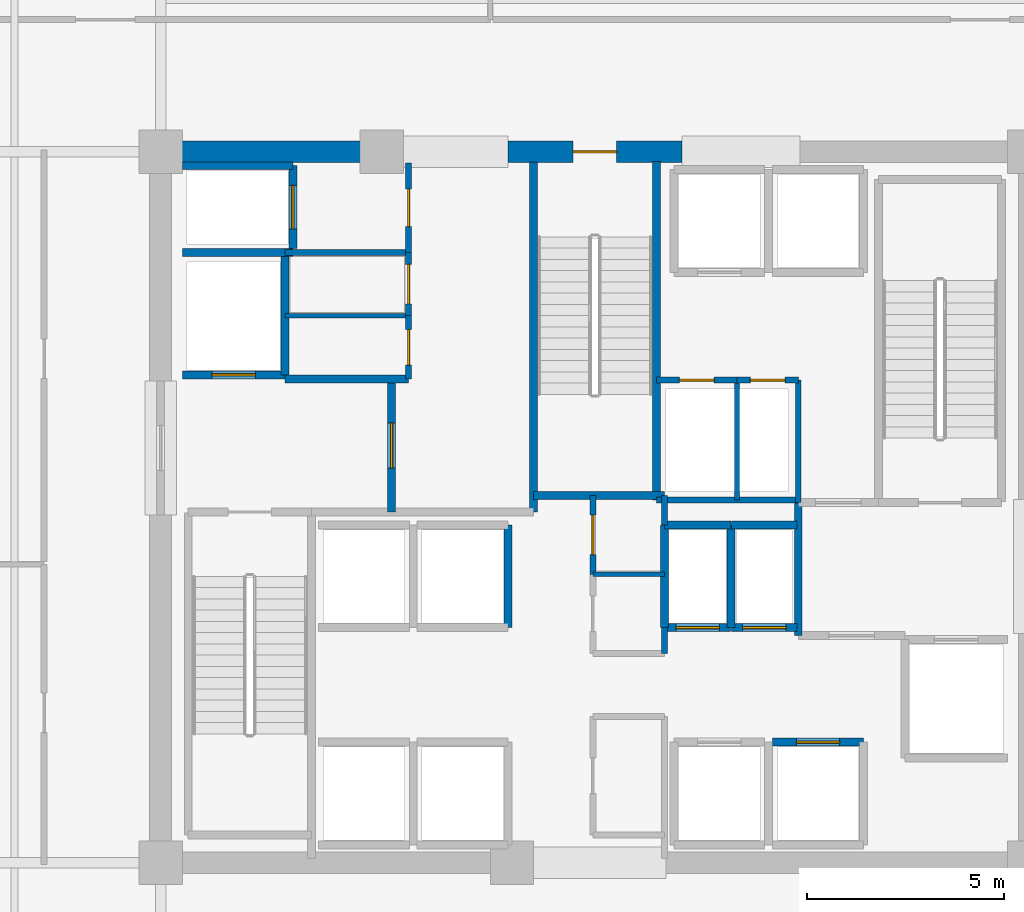
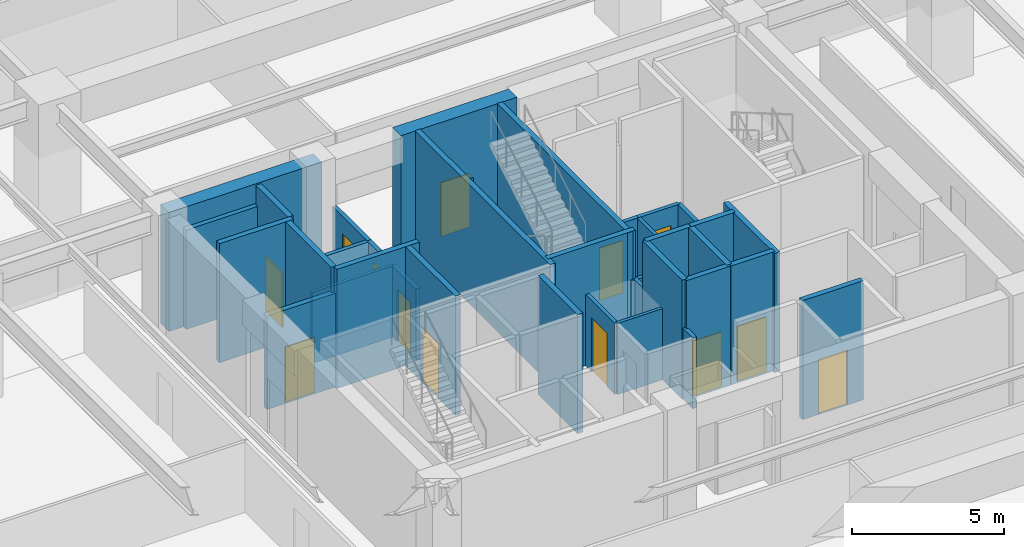
# One storey, part 13 of 20: 35 walls, 13 doors, 13 openings.
"""IFC4 building model written with IfcOpenShell, lengths in metres."""

from ifc_helpers import new_model, si_unit, direction, frame, frame_2d, origin, place, context, subcontext, project, spatial, rectangle, extrude, material, layer, layer_set, type_object, element, fill, save


model = new_model("IFC4")

# Units and contexts
model_context = context("Model", 3, precision=1e-05, world=origin(), true_north=direction((0.0, 1.0)))
body_context = subcontext(model_context, "Body", "Model", "MODEL_VIEW")
ifc_project = project(units=[si_unit("LENGTHUNIT", "METRE"), si_unit("AREAUNIT", "SQUARE_METRE"), si_unit("VOLUMEUNIT", "CUBIC_METRE"), si_unit("PLANEANGLEUNIT", "RADIAN"), si_unit("MASSUNIT", "GRAM", prefix="KILO")], contexts=[model_context])

# Site, building, storey
site_placement = place(None, origin())
site = spatial("IfcSite", under=ifc_project, at=site_placement, CompositionType="ELEMENT")
building_placement = place(site_placement, origin())
building = spatial("IfcBuilding", under=site, at=building_placement, Name="Kovane Verandah Tower", CompositionType="ELEMENT")
storey_placement = place(building_placement, frame((0.0, 0.0, 123.39990234375)))
storey = spatial("IfcBuildingStorey", under=building, at=storey_placement, Name="L28", CompositionType="ELEMENT", Elevation=123.39990234375)

# Walls
ifc_material_1 = material(Name="Fire-Rated Gypsum Stud Partition", Category="gypsum")
ifc_layer_1 = layer(ifc_material_1, 0.14990234375)
ifc_layer_set_1 = layer_set([ifc_layer_1], Name="Fire-Rated Gypsum Stud Partition")
wall_type_1 = type_object("IfcWallType", Name="WL-COR-150", PredefinedType="PARTITIONING", material=ifc_layer_set_1)
wall_1_placement = place(storey_placement, frame((41.760009765625, 23.800048828125, 0.0), z_axis=(0.0, 0.0, 1.0), x_axis=(0.0, 1.0, 0.0)))
element("IfcWall", 1, at=wall_1_placement, inside=storey, type_object=wall_type_1, Name="L28 Central Core Strip Middle East Wall", PredefinedType="PARTITIONING", context=body_context, shape_type="SweptSolid", body=[
    extrude(rectangle(XDim=0.64990234375, YDim=0.14990234375, at=frame_2d((0.324951171875, 0.0))), origin(), (0.0, 0.0, 1.0), 2.85009765625),
])
wall_2_placement = place(storey_placement, frame((41.760009765625, 27.050048828125, 0.0), z_axis=(0.0, 0.0, 1.0), x_axis=(0.0, 1.0, 0.0)))
element("IfcWall", 2, at=wall_2_placement, inside=storey, type_object=wall_type_1, Name="L28 Central Core Strip Upper East Wall", PredefinedType="PARTITIONING", context=body_context, shape_type="SweptSolid", body=[
    extrude(rectangle(XDim=0.75, YDim=0.14990234375, at=frame_2d((0.375, 0.0))), origin(), (0.0, 0.0, 1.0), 2.85009765625),
])

# Wall, opening, door
wall_3_placement = place(storey_placement, frame((39.949951171875, 25.800048828125, 0.0), z_axis=(0.0, 0.0, 1.0), x_axis=(0.0, 1.0, 0.0)))
wall_3 = element("IfcWall", 3, at=wall_3_placement, inside=storey, type_object=wall_type_1, Name="L28 Central First Aid and Wellness Room Partition", PredefinedType="PARTITIONING", context=body_context, shape_type="SweptSolid", body=[
    extrude(rectangle(XDim=2.0, YDim=0.14990234375, at=frame_2d((1.0, 0.0))), origin(), (0.0, 0.0, 1.0), 2.85009765625),
])
opening_1_placement = place(wall_3_placement, frame((0.5, 0.0, 0.0)))
opening_1 = element("IfcOpeningElement", 4, at=opening_1_placement, cuts=wall_3, Name="Opening DR-L28-020", PredefinedType="OPENING", context=body_context, shape_type="SweptSolid", body=[
    extrude(rectangle(XDim=1.0, YDim=2.14990234375, at=frame_2d((0.5, 1.074951171875))), frame((0.0, 0.074951171875, 0.0), z_axis=(0.0, -1.0, 0.0), x_axis=(1.0, 0.0, 0.0)), (0.0, 0.0, 1.0), 0.14990234375),
])
ifc_material_2 = material(Name="FSC Spotted-Gum Timber Fire-Rated Office Door", Category="wood")
door_type_1 = type_object("IfcDoorType", Name="DR-OFF-1000", OperationType="SINGLE_SWING_LEFT", PredefinedType="DOOR", material=ifc_material_2)
door_1_placement = place(opening_1_placement, origin())
door_1 = element("IfcDoor", 5, at=door_1_placement, inside=storey, type_object=door_type_1, Name="L28 Central First Aid and Wellness Room Door", OperationType="SINGLE_SWING_LEFT", OverallHeight=2.14990234375, OverallWidth=1.0, PredefinedType="DOOR", context=body_context, shape_type="SweptSolid", body=[
    extrude(rectangle(XDim=1.0, YDim=2.14990234375, at=frame_2d((0.5, 1.074951171875))), frame((0.0, 0.02490234375, 0.0), z_axis=(0.0, -1.0, 0.0), x_axis=(1.0, 0.0, 0.0)), (0.0, 0.0, 1.0), 0.050048828125),
])
fill(opening_1, door_1)

# Wall
wall_4_placement = place(storey_placement, frame((32.14990234375, 33.949951171875, 0.0), z_axis=(0.0, 0.0, 1.0), x_axis=(1.0, 0.0, 0.0)))
element("IfcWall", 6, at=wall_4_placement, inside=storey, type_object=wall_type_1, Name="L28 Goods Lift Lobby South Wall", PredefinedType="PARTITIONING", context=body_context, shape_type="SweptSolid", body=[
    extrude(rectangle(XDim=3.130126953125, YDim=0.14990234375, at=frame_2d((1.56494140625, 0.0))), origin(), (0.0, 0.0, 1.0), 2.85009765625),
])

# Wall, opening, door
wall_5_placement = place(storey_placement, frame((35.280029296875, 33.949951171875, 0.0), z_axis=(0.0, 0.0, 1.0), x_axis=(0.0, 1.0, 0.0)))
wall_5 = element("IfcWall", 7, at=wall_5_placement, inside=storey, type_object=wall_type_1, Name="L28 Goods Lift Lobby East Fire Partition", PredefinedType="PARTITIONING", context=body_context, shape_type="SweptSolid", body=[
    extrude(rectangle(XDim=2.27001953125, YDim=0.14990234375, at=frame_2d((1.135009765625, 0.0))), origin(), (0.0, 0.0, 1.0), 2.85009765625),
])
opening_2_placement = place(wall_5_placement, frame((0.659912109375, 0.0, 0.0)))
opening_2 = element("IfcOpeningElement", 8, at=opening_2_placement, cuts=wall_5, Name="Opening DR-L28-008", PredefinedType="OPENING", context=body_context, shape_type="SweptSolid", body=[
    extrude(rectangle(XDim=0.949951171875, YDim=2.14990234375, at=frame_2d((0.47509765625, 1.074951171875))), frame((0.0, 0.074951171875, 0.0), z_axis=(0.0, -1.0, 0.0), x_axis=(1.0, 0.0, 0.0)), (0.0, 0.0, 1.0), 0.14990234375),
])
ifc_material_3 = material(Name="Fire-Rated Steel Refuge and Lobby Door", Category="steel")
door_type_2 = type_object("IfcDoorType", Name="DR-FIRE-950", OperationType="SINGLE_SWING_LEFT", PredefinedType="DOOR", material=ifc_material_3)
door_2_placement = place(opening_2_placement, origin())
door_2 = element("IfcDoor", 9, at=door_2_placement, inside=storey, type_object=door_type_2, Name="L28 Goods Lift Lobby Fire Door", OperationType="SINGLE_SWING_RIGHT", OverallHeight=2.14990234375, OverallWidth=0.949951171875, PredefinedType="DOOR", context=body_context, shape_type="SweptSolid", body=[
    extrude(rectangle(XDim=0.949951171875, YDim=2.14990234375, at=frame_2d((0.47509765625, 1.074951171875))), frame((0.0, 0.02490234375, 0.0), z_axis=(0.0, -1.0, 0.0), x_axis=(1.0, 0.0, 0.0)), (0.0, 0.0, 1.0), 0.050048828125),
])
fill(opening_2, door_2)

wall_6_placement = place(storey_placement, frame((35.280029296875, 30.75, 0.0), z_axis=(0.0, 0.0, 1.0), x_axis=(0.0, 1.0, 0.0)))
wall_6 = element("IfcWall", 10, at=wall_6_placement, inside=storey, type_object=wall_type_1, Name="L28 Accessible Unisex Toilet Partition", PredefinedType="PARTITIONING", context=body_context, shape_type="SweptSolid", body=[
    extrude(rectangle(XDim=1.60009765625, YDim=0.14990234375, at=frame_2d((0.800048828125, 0.0))), origin(), (0.0, 0.0, 1.0), 2.85009765625),
])
opening_3_placement = place(wall_6_placement, frame((0.35009765625, 0.0, 0.0)))
opening_3 = element("IfcOpeningElement", 11, at=opening_3_placement, cuts=wall_6, Name="Opening DR-L28-021", PredefinedType="OPENING", context=body_context, shape_type="SweptSolid", body=[
    extrude(rectangle(XDim=0.89990234375, YDim=2.10009765625, at=frame_2d((0.449951171875, 1.050048828125))), frame((0.0, 0.074951171875, 0.0), z_axis=(0.0, -1.0, 0.0), x_axis=(1.0, 0.0, 0.0)), (0.0, 0.0, 1.0), 0.14990234375),
])
ifc_material_4 = material(Name="Moisture-Resistant Laminate Washroom Door", Category="wood")
door_type_3 = type_object("IfcDoorType", Name="DR-WC-900", OperationType="SINGLE_SWING_LEFT", PredefinedType="DOOR", material=ifc_material_4)
door_3_placement = place(opening_3_placement, origin())
door_3 = element("IfcDoor", 12, at=door_3_placement, inside=storey, type_object=door_type_3, Name="L28 Accessible Unisex Toilet Door", OperationType="SINGLE_SWING_LEFT", OverallHeight=2.10009765625, OverallWidth=0.89990234375, PredefinedType="DOOR", context=body_context, shape_type="SweptSolid", body=[
    extrude(rectangle(XDim=0.89990234375, YDim=2.10009765625, at=frame_2d((0.449951171875, 1.050048828125))), frame((0.0, 0.02490234375, 0.0), z_axis=(0.0, -1.0, 0.0), x_axis=(1.0, 0.0, 0.0)), (0.0, 0.0, 1.0), 0.050048828125),
])
fill(opening_3, door_3)

wall_7_placement = place(storey_placement, frame((35.280029296875, 32.35009765625, 0.0), z_axis=(0.0, 0.0, 1.0), x_axis=(0.0, 1.0, 0.0)))
wall_7 = element("IfcWall", 13, at=wall_7_placement, inside=storey, type_object=wall_type_1, Name="L28 North-West First Aid Room Partition", PredefinedType="PARTITIONING", context=body_context, shape_type="SweptSolid", body=[
    extrude(rectangle(XDim=1.599853515625, YDim=0.14990234375, at=frame_2d((0.7998046875, 0.0))), origin(), (0.0, 0.0, 1.0), 2.85009765625),
])
opening_4_placement = place(wall_7_placement, frame((0.300048828125, 0.0, 0.0)))
opening_4 = element("IfcOpeningElement", 14, at=opening_4_placement, cuts=wall_7, Name="Opening DR-L28-012", PredefinedType="OPENING", context=body_context, shape_type="SweptSolid", body=[
    extrude(rectangle(XDim=1.0, YDim=2.14990234375, at=frame_2d((0.5, 1.074951171875))), frame((0.0, 0.074951171875, 0.0), z_axis=(0.0, -1.0, 0.0), x_axis=(1.0, 0.0, 0.0)), (0.0, 0.0, 1.0), 0.14990234375),
])
door_4_placement = place(opening_4_placement, origin())
door_4 = element("IfcDoor", 15, at=door_4_placement, inside=storey, type_object=door_type_1, Name="L28 North-West First Aid Room Door", OperationType="SINGLE_SWING_RIGHT", OverallHeight=2.14990234375, OverallWidth=1.0, PredefinedType="DOOR", context=body_context, shape_type="SweptSolid", body=[
    extrude(rectangle(XDim=1.0, YDim=2.14990234375, at=frame_2d((0.5, 1.074951171875))), frame((0.0, 0.02490234375, 0.0), z_axis=(0.0, -1.0, 0.0), x_axis=(1.0, 0.0, 0.0)), (0.0, 0.0, 1.0), 0.050048828125),
])
fill(opening_4, door_4)

# Walls
wall_8_placement = place(storey_placement, frame((41.56005859375, 27.679931640625, 0.0), z_axis=(0.0, 0.0, 1.0), x_axis=(1.0, 0.0, 0.0)))
element("IfcWall", 16, at=wall_8_placement, inside=storey, type_object=wall_type_1, Name="L28 East Core Service Riser South Wall", PredefinedType="PARTITIONING", context=body_context, shape_type="SweptSolid", body=[
    extrude(rectangle(XDim=3.58984375, YDim=0.14990234375, at=frame_2d((1.794921875, 0.0))), origin(), (0.0, 0.0, 1.0), 2.85009765625),
])
wall_9_placement = place(storey_placement, frame((45.14990234375, 27.6201171875, 0.0), z_axis=(0.0, 0.0, 1.0), x_axis=(0.0, 1.0, 0.0)))
element("IfcWall", 17, at=wall_9_placement, inside=storey, type_object=wall_type_1, Name="L28 East Core Service Riser East Wall", PredefinedType="PARTITIONING", context=body_context, shape_type="SweptSolid", body=[
    extrude(rectangle(XDim=3.099853515625, YDim=0.14990234375, at=frame_2d((1.5498046875, 0.0))), origin(), (0.0, 0.0, 1.0), 2.85009765625),
])

# Wall, opening, door
wall_10_placement = place(storey_placement, frame((41.56005859375, 30.719970703125, 0.0), z_axis=(0.0, 0.0, 1.0), x_axis=(1.0, 0.0, 0.0)))
wall_10 = element("IfcWall", 18, at=wall_10_placement, inside=storey, type_object=wall_type_1, Name="L28 Electrical Sub-Main Riser Room Partition", PredefinedType="PARTITIONING", context=body_context, shape_type="SweptSolid", body=[
    extrude(rectangle(XDim=2.0400390625, YDim=0.14990234375, at=frame_2d((1.02001953125, 0.0))), origin(), (0.0, 0.0, 1.0), 2.85009765625),
])
opening_5_placement = place(wall_10_placement, frame((0.580078125, 0.0, 0.0)))
opening_5 = element("IfcOpeningElement", 19, at=opening_5_placement, cuts=wall_10, Name="Opening DR-L28-014", PredefinedType="OPENING", context=body_context, shape_type="SweptSolid", body=[
    extrude(rectangle(XDim=0.8798828125, YDim=2.10009765625, at=frame_2d((0.43994140625, 1.050048828125))), frame((0.0, 0.074951171875, 0.0), z_axis=(0.0, -1.0, 0.0), x_axis=(1.0, 0.0, 0.0)), (0.0, 0.0, 1.0), 0.14990234375),
])
ifc_material_5 = material(Name="Fire-Rated Steel Riser Access Door", Category="steel")
door_type_4 = type_object("IfcDoorType", Name="DR-RISER-880", OperationType="SINGLE_SWING_LEFT", PredefinedType="DOOR", material=ifc_material_5)
door_5_placement = place(opening_5_placement, origin())
door_5 = element("IfcDoor", 20, at=door_5_placement, inside=storey, type_object=door_type_4, Name="L28 Electrical Sub-Main Riser Room Door", OperationType="SINGLE_SWING_LEFT", OverallHeight=2.10009765625, OverallWidth=0.8798828125, PredefinedType="DOOR", context=body_context, shape_type="SweptSolid", body=[
    extrude(rectangle(XDim=0.8798828125, YDim=2.10009765625, at=frame_2d((0.43994140625, 1.050048828125))), frame((0.0, 0.02490234375, 0.0), z_axis=(0.0, -1.0, 0.0), x_axis=(1.0, 0.0, 0.0)), (0.0, 0.0, 1.0), 0.050048828125),
])
fill(opening_5, door_5)

wall_11_placement = place(storey_placement, frame((43.60009765625, 30.719970703125, 0.0), z_axis=(0.0, 0.0, 1.0), x_axis=(1.0, 0.0, 0.0)))
wall_11 = element("IfcWall", 21, at=wall_11_placement, inside=storey, type_object=wall_type_1, Name="L28 Sprinkler Wet Riser Room Partition", PredefinedType="PARTITIONING", context=body_context, shape_type="SweptSolid", body=[
    extrude(rectangle(XDim=1.5498046875, YDim=0.14990234375, at=frame_2d((0.77490234375, 0.0))), origin(), (0.0, 0.0, 1.0), 2.85009765625),
])
opening_6_placement = place(wall_11_placement, frame((0.3349609375, 0.0, 0.0)))
opening_6 = element("IfcOpeningElement", 22, at=opening_6_placement, cuts=wall_11, Name="Opening DR-L28-015", PredefinedType="OPENING", context=body_context, shape_type="SweptSolid", body=[
    extrude(rectangle(XDim=0.8798828125, YDim=2.10009765625, at=frame_2d((0.43994140625, 1.050048828125))), frame((0.0, 0.074951171875, 0.0), z_axis=(0.0, -1.0, 0.0), x_axis=(1.0, 0.0, 0.0)), (0.0, 0.0, 1.0), 0.14990234375),
])
door_6_placement = place(opening_6_placement, origin())
door_6 = element("IfcDoor", 23, at=door_6_placement, inside=storey, type_object=door_type_4, Name="L28 Sprinkler Wet Riser Room Door", OperationType="SINGLE_SWING_RIGHT", OverallHeight=2.10009765625, OverallWidth=0.8798828125, PredefinedType="DOOR", context=body_context, shape_type="SweptSolid", body=[
    extrude(rectangle(XDim=0.8798828125, YDim=2.10009765625, at=frame_2d((0.43994140625, 1.050048828125))), frame((0.0, 0.02490234375, 0.0), z_axis=(0.0, -1.0, 0.0), x_axis=(1.0, 0.0, 0.0)), (0.0, 0.0, 1.0), 0.050048828125),
])
fill(opening_6, door_6)

# Wall
ifc_material_6 = material(Name="Concrete C60/75", Category="concrete")
ifc_layer_2 = layer(ifc_material_6, 0.550048828125)
ifc_layer_set_2 = layer_set([ifc_layer_2], Name="Concrete C60/75")
wall_type_2 = type_object("IfcWallType", Name="WL-CORE-550", PredefinedType="SHEAR", material=ifc_layer_set_2)
wall_12_placement = place(storey_placement, frame((29.0, 36.5, 0.0), z_axis=(0.0, 0.0, 1.0), x_axis=(1.0, 0.0, 0.0)))
element("IfcWall", 24, at=wall_12_placement, inside=storey, type_object=wall_type_2, Name="L28 Core Shear Wall CN-1", PredefinedType="SHEAR", context=body_context, shape_type="SweptSolid", body=[
    extrude(rectangle(XDim=5.800048828125, YDim=0.550048828125, at=frame_2d((2.89990234375, 0.0))), origin(), (0.0, 0.0, 1.0), 4.775146484375),
])

# Wall, opening, door
wall_13_placement = place(storey_placement, frame((37.800048828125, 36.5, 0.0), z_axis=(0.0, 0.0, 1.0), x_axis=(1.0, 0.0, 0.0)))
wall_13 = element("IfcWall", 25, at=wall_13_placement, inside=storey, type_object=wall_type_2, Name="L28 Core Shear Wall CN-2", PredefinedType="SHEAR", context=body_context, shape_type="SweptSolid", body=[
    extrude(rectangle(XDim=4.39990234375, YDim=0.550048828125, at=frame_2d((2.199951171875, 0.0))), origin(), (0.0, 0.0, 1.0), 4.775146484375),
])
opening_7_placement = place(wall_13_placement, frame((1.64990234375, 0.0, 0.0)))
opening_7 = element("IfcOpeningElement", 26, at=opening_7_placement, cuts=wall_13, Name="Opening DR-L28-011", PredefinedType="OPENING", context=body_context, shape_type="SweptSolid", body=[
    extrude(rectangle(XDim=1.10009765625, YDim=2.14990234375, at=frame_2d((0.550048828125, 1.074951171875))), frame((0.0, 0.27490234375, 0.0), z_axis=(0.0, -1.0, 0.0), x_axis=(1.0, 0.0, 0.0)), (0.0, 0.0, 1.0), 0.550048828125),
])
ifc_material_7 = material(Name="Fire-Rated Steel Exit Door", Category="steel")
door_type_5 = type_object("IfcDoorType", Name="DR-STAIR-1100", OperationType="SINGLE_SWING_LEFT", PredefinedType="DOOR", material=ifc_material_7)
door_7_placement = place(opening_7_placement, origin())
door_7 = element("IfcDoor", 27, at=door_7_placement, inside=storey, type_object=door_type_5, Name="L28 ST-03 Fire Exit Stair Door", OperationType="SINGLE_SWING_RIGHT", OverallHeight=2.14990234375, OverallWidth=1.10009765625, PredefinedType="DOOR", context=body_context, shape_type="SweptSolid", body=[
    extrude(rectangle(XDim=1.10009765625, YDim=2.14990234375, at=frame_2d((0.550048828125, 1.074951171875))), frame((0.0, 0.02490234375, 0.0), z_axis=(0.0, -1.0, 0.0), x_axis=(1.0, 0.0, 0.0)), (0.0, 0.0, 1.0), 0.050048828125),
])
fill(opening_7, door_7)

ifc_material_8 = material(Name="Concrete C45/55 Fire Wall", Category="concrete")
ifc_layer_3 = layer(ifc_material_8, 0.199951171875)
ifc_layer_set_3 = layer_set([ifc_layer_3], Name="Concrete C45/55 Fire Wall")
wall_type_3 = type_object("IfcWallType", Name="WL-FFL-200", PredefinedType="PARTITIONING", material=ifc_layer_set_3)
wall_14_placement = place(storey_placement, frame((34.85009765625, 27.3798828125, 0.0), z_axis=(0.0, 0.0, 1.0), x_axis=(0.0, 1.0, 0.0)))
wall_14 = element("IfcWall", 28, at=wall_14_placement, inside=storey, type_object=wall_type_3, Name="W-L28-FFLW-E", PredefinedType="PARTITIONING", context=body_context, shape_type="SweptSolid", body=[
    extrude(rectangle(XDim=3.3701171875, YDim=0.199951171875, at=frame_2d((1.68505859375, 0.0))), origin(), (0.0, 0.0, 1.0), 4.775146484375),
])
opening_8_placement = place(wall_14_placement, frame((1.110107421875, 0.0, 0.0)))
opening_8 = element("IfcOpeningElement", 29, at=opening_8_placement, cuts=wall_14, Name="Opening DR-L28-006", PredefinedType="OPENING", context=body_context, shape_type="SweptSolid", body=[
    extrude(rectangle(XDim=1.14990234375, YDim=2.199951171875, at=frame_2d((0.574951171875, 1.10009765625))), frame((0.0, 0.10009765625, 0.0), z_axis=(0.0, -1.0, 0.0), x_axis=(1.0, 0.0, 0.0)), (0.0, 0.0, 1.0), 0.199951171875),
])
ifc_material_9 = material(Name="Smoke-Sealed Firefighting Lobby Door", Category="steel")
door_type_6 = type_object("IfcDoorType", Name="DR-FFL-1150", OperationType="SINGLE_SWING_LEFT", PredefinedType="DOOR", material=ifc_material_9)
door_8_placement = place(opening_8_placement, origin())
door_8 = element("IfcDoor", 30, at=door_8_placement, inside=storey, type_object=door_type_6, Name="L28 West Firefighting Lobby Inner Door", OperationType="SINGLE_SWING_LEFT", OverallHeight=2.199951171875, OverallWidth=1.14990234375, PredefinedType="DOOR", context=body_context, shape_type="SweptSolid", body=[
    extrude(rectangle(XDim=1.14990234375, YDim=2.199951171875, at=frame_2d((0.574951171875, 1.10009765625))), frame((0.0, 0.02490234375, 0.0), z_axis=(0.0, -1.0, 0.0), x_axis=(1.0, 0.0, 0.0)), (0.0, 0.0, 1.0), 0.050048828125),
])
fill(opening_8, door_8)

# Walls
wall_15_placement = place(storey_placement, frame((32.14990234375, 30.75, 0.0), z_axis=(0.0, 0.0, 1.0), x_axis=(1.0, 0.0, 0.0)))
element("IfcWall", 31, at=wall_15_placement, inside=storey, type_object=wall_type_3, Name="L28 West Firefighting Lobby North Fire Wall", PredefinedType="PARTITIONING", context=body_context, shape_type="SweptSolid", body=[
    extrude(rectangle(XDim=3.130126953125, YDim=0.199951171875, at=frame_2d((1.56494140625, 0.0))), origin(), (0.0, 0.0, 1.0), 4.775146484375),
])
wall_16_placement = place(storey_placement, frame((45.14990234375, 24.25, 0.0), z_axis=(0.0, 0.0, 1.0), x_axis=(0.0, 1.0, 0.0)))
element("IfcWall", 32, at=wall_16_placement, inside=storey, type_object=wall_type_3, Name="L28 East Firefighting Lobby West Fire Wall", PredefinedType="PARTITIONING", context=body_context, shape_type="SweptSolid", body=[
    extrude(rectangle(XDim=3.3701171875, YDim=0.199951171875, at=frame_2d((1.68505859375, 0.0))), origin(), (0.0, 0.0, 1.0), 4.775146484375),
])

# Wall, opening, door
ifc_material_10 = material(Name="Concrete C45/55 Lift Shaft Wall", Category="concrete")
ifc_layer_4 = layer(ifc_material_10, 0.199951171875)
ifc_layer_set_4 = layer_set([ifc_layer_4], Name="Concrete C45/55 Lift Shaft Wall")
wall_type_4 = type_object("IfcWallType", Name="WL-LIFT-200", PredefinedType="SOLIDWALL", material=ifc_layer_set_4)
wall_17_placement = place(storey_placement, frame((29.550048828125, 30.85009765625, 0.0), z_axis=(0.0, 0.0, 1.0), x_axis=(1.0, 0.0, 0.0)))
wall_17 = element("IfcWall", 33, at=wall_17_placement, inside=storey, type_object=wall_type_4, Name="L28 Lift FL-01 S Shaft Wall", PredefinedType="SOLIDWALL", context=body_context, shape_type="SweptSolid", body=[
    extrude(rectangle(XDim=2.599853515625, YDim=0.199951171875, at=frame_2d((1.2998046875, 0.0))), origin(), (0.0, 0.0, 1.0), 3.755126953125),
])
opening_9_placement = place(wall_17_placement, frame((0.75, 0.0, 0.0)))
opening_9 = element("IfcOpeningElement", 34, at=opening_9_placement, cuts=wall_17, Name="Opening LD-L28-001", PredefinedType="OPENING", context=body_context, shape_type="SweptSolid", body=[
    extrude(rectangle(XDim=1.10009765625, YDim=2.199951171875, at=frame_2d((0.550048828125, 1.10009765625))), frame((0.0, 0.10009765625, 0.0), z_axis=(0.0, -1.0, 0.0), x_axis=(1.0, 0.0, 0.0)), (0.0, 0.0, 1.0), 0.199951171875),
])
ifc_material_11 = material(Name="Brushed Stainless Steel Sliding Lift Landing Door", Category="steel")
door_type_7 = type_object("IfcDoorType", Name="DR-LIFT-1100", OperationType="SLIDING_TO_RIGHT", PredefinedType="DOOR", material=ifc_material_11)
door_9_placement = place(opening_9_placement, origin())
door_9 = element("IfcDoor", 35, at=door_9_placement, inside=storey, type_object=door_type_7, Name="L28 Lift FL-01 Sliding Landing Door", OperationType="SLIDING_TO_RIGHT", OverallHeight=2.199951171875, OverallWidth=1.10009765625, PredefinedType="DOOR", context=body_context, shape_type="SweptSolid", body=[
    extrude(rectangle(XDim=1.10009765625, YDim=2.199951171875, at=frame_2d((0.550048828125, 1.10009765625))), frame((0.0, 0.02490234375, 0.0), z_axis=(0.0, -1.0, 0.0), x_axis=(1.0, 0.0, 0.0)), (0.0, 0.0, 1.0), 0.050048828125),
])
fill(opening_9, door_9)

# Walls
wall_18_placement = place(storey_placement, frame((29.550048828125, 33.949951171875, 0.0), z_axis=(0.0, 0.0, 1.0), x_axis=(1.0, 0.0, 0.0)))
element("IfcWall", 36, at=wall_18_placement, inside=storey, type_object=wall_type_4, Name="L28 Lift FL-01 and GL-01 Shared Shaft Wall", PredefinedType="SOLIDWALL", context=body_context, shape_type="SweptSolid", body=[
    extrude(rectangle(XDim=2.800048828125, YDim=0.199951171875, at=frame_2d((1.39990234375, 0.0))), origin(), (0.0, 0.0, 1.0), 4.775146484375),
])
wall_19_placement = place(storey_placement, frame((32.14990234375, 30.85009765625, 0.0), z_axis=(0.0, 0.0, 1.0), x_axis=(0.0, 1.0, 0.0)))
element("IfcWall", 37, at=wall_19_placement, inside=storey, type_object=wall_type_4, Name="L28 Lift FL-01 E Shaft Wall", PredefinedType="SOLIDWALL", context=body_context, shape_type="SweptSolid", body=[
    extrude(rectangle(XDim=3.0, YDim=0.199951171875, at=frame_2d((1.5, 0.0))), origin(), (0.0, 0.0, 1.0), 4.775146484375),
])
wall_20_placement = place(storey_placement, frame((32.35009765625, 36.14990234375, 0.0), z_axis=(0.0, 0.0, 1.0), x_axis=(-1.0, 0.0, 0.0)))
element("IfcWall", 38, at=wall_20_placement, inside=storey, type_object=wall_type_4, Name="L28 Lift GL-01 N Shaft Wall", PredefinedType="SOLIDWALL", context=body_context, shape_type="SweptSolid", body=[
    extrude(rectangle(XDim=2.800048828125, YDim=0.199951171875, at=frame_2d((1.39990234375, 0.0))), origin(), (0.0, 0.0, 1.0), 3.9853515625),
])

# Wall, opening, door
wall_21_placement = place(storey_placement, frame((32.35009765625, 34.050048828125, 0.0), z_axis=(0.0, 0.0, 1.0), x_axis=(0.0, 1.0, 0.0)))
wall_21 = element("IfcWall", 39, at=wall_21_placement, inside=storey, type_object=wall_type_4, Name="L28 Lift GL-01 E Shaft Wall", PredefinedType="SOLIDWALL", context=body_context, shape_type="SweptSolid", body=[
    extrude(rectangle(XDim=2.099853515625, YDim=0.199951171875, at=frame_2d((1.0498046875, 0.0))), origin(), (0.0, 0.0, 1.0), 4.775146484375),
])
opening_10_placement = place(wall_21_placement, frame((0.5, 0.0, 0.0)))
opening_10 = element("IfcOpeningElement", 40, at=opening_10_placement, cuts=wall_21, Name="Opening LD-L28-003", PredefinedType="OPENING", context=body_context, shape_type="SweptSolid", body=[
    extrude(rectangle(XDim=1.10009765625, YDim=2.199951171875, at=frame_2d((0.550048828125, 1.10009765625))), frame((0.0, 0.10009765625, 0.0), z_axis=(0.0, -1.0, 0.0), x_axis=(1.0, 0.0, 0.0)), (0.0, 0.0, 1.0), 0.199951171875),
])
door_10_placement = place(opening_10_placement, origin())
door_10 = element("IfcDoor", 41, at=door_10_placement, inside=storey, type_object=door_type_7, Name="L28 Lift GL-01 Sliding Landing Door", OperationType="SLIDING_TO_RIGHT", OverallHeight=2.199951171875, OverallWidth=1.10009765625, PredefinedType="DOOR", context=body_context, shape_type="SweptSolid", body=[
    extrude(rectangle(XDim=1.10009765625, YDim=2.199951171875, at=frame_2d((0.550048828125, 1.10009765625))), frame((0.0, 0.02490234375, 0.0), z_axis=(0.0, -1.0, 0.0), x_axis=(1.0, 0.0, 0.0)), (0.0, 0.0, 1.0), 0.050048828125),
])
fill(opening_10, door_10)

# Wall
wall_22_placement = place(storey_placement, frame((37.800048828125, 24.449951171875, 0.0), z_axis=(0.0, 0.0, 1.0), x_axis=(0.0, 1.0, 0.0)))
element("IfcWall", 42, at=wall_22_placement, inside=storey, type_object=wall_type_4, Name="L28 Lift PL-L4 E Shaft Wall", PredefinedType="SOLIDWALL", context=body_context, shape_type="SweptSolid", body=[
    extrude(rectangle(XDim=2.60009765625, YDim=0.199951171875, at=frame_2d((1.300048828125, 0.0))), origin(), (0.0, 0.0, 1.0), 4.775146484375),
])

# Wall, opening, door
wall_23_placement = place(storey_placement, frame((46.800048828125, 21.550048828125, 0.0), z_axis=(0.0, 0.0, 1.0), x_axis=(-1.0, 0.0, 0.0)))
wall_23 = element("IfcWall", 43, at=wall_23_placement, inside=storey, type_object=wall_type_4, Name="L28 Lift PL-M2 N Shaft Wall", PredefinedType="SOLIDWALL", context=body_context, shape_type="SweptSolid", body=[
    extrude(rectangle(XDim=2.300048828125, YDim=0.199951171875, at=frame_2d((1.14990234375, 0.0))), origin(), (0.0, 0.0, 1.0), 4.775146484375),
])
opening_11_placement = place(wall_23_placement, frame((0.60009765625, 0.0, 0.0)))
opening_11 = element("IfcOpeningElement", 44, at=opening_11_placement, cuts=wall_23, Name="Opening LD-L28-005", PredefinedType="OPENING", context=body_context, shape_type="SweptSolid", body=[
    extrude(rectangle(XDim=1.10009765625, YDim=2.199951171875, at=frame_2d((0.550048828125, 1.10009765625))), frame((0.0, 0.10009765625, 0.0), z_axis=(0.0, -1.0, 0.0), x_axis=(1.0, 0.0, 0.0)), (0.0, 0.0, 1.0), 0.199951171875),
])
door_11_placement = place(opening_11_placement, origin())
door_11 = element("IfcDoor", 45, at=door_11_placement, inside=storey, type_object=door_type_7, Name="L28 Lift PL-M2 Sliding Landing Door", OperationType="SLIDING_TO_RIGHT", OverallHeight=2.199951171875, OverallWidth=1.10009765625, PredefinedType="DOOR", context=body_context, shape_type="SweptSolid", body=[
    extrude(rectangle(XDim=1.10009765625, YDim=2.199951171875, at=frame_2d((0.550048828125, 1.10009765625))), frame((0.0, 0.02490234375, 0.0), z_axis=(0.0, -1.0, 0.0), x_axis=(1.0, 0.0, 0.0)), (0.0, 0.0, 1.0), 0.050048828125),
])
fill(opening_11, door_11)

wall_24_placement = place(storey_placement, frame((41.760009765625, 24.449951171875, 0.0), z_axis=(0.0, 0.0, 1.0), x_axis=(1.0, 0.0, 0.0)))
wall_24 = element("IfcWall", 46, at=wall_24_placement, inside=storey, type_object=wall_type_4, Name="L28 Lift PL-M3 S Shaft Wall", PredefinedType="SOLIDWALL", context=body_context, shape_type="SweptSolid", body=[
    extrude(rectangle(XDim=1.679931640625, YDim=0.199951171875, at=frame_2d((0.83984375, 0.0))), origin(), (0.0, 0.0, 1.0), 4.775146484375),
])
opening_12_placement = place(wall_24_placement, frame((0.2900390625, 0.0, 0.0)))
opening_12 = element("IfcOpeningElement", 47, at=opening_12_placement, cuts=wall_24, Name="Opening LD-L28-006", PredefinedType="OPENING", context=body_context, shape_type="SweptSolid", body=[
    extrude(rectangle(XDim=1.10009765625, YDim=2.199951171875, at=frame_2d((0.550048828125, 1.10009765625))), frame((0.0, 0.10009765625, 0.0), z_axis=(0.0, -1.0, 0.0), x_axis=(1.0, 0.0, 0.0)), (0.0, 0.0, 1.0), 0.199951171875),
])
door_12_placement = place(opening_12_placement, origin())
door_12 = element("IfcDoor", 48, at=door_12_placement, inside=storey, type_object=door_type_7, Name="L28 Lift PL-M3 Sliding Landing Door", OperationType="SLIDING_TO_RIGHT", OverallHeight=2.199951171875, OverallWidth=1.10009765625, PredefinedType="DOOR", context=body_context, shape_type="SweptSolid", body=[
    extrude(rectangle(XDim=1.10009765625, YDim=2.199951171875, at=frame_2d((0.550048828125, 1.10009765625))), frame((0.0, 0.02490234375, 0.0), z_axis=(0.0, -1.0, 0.0), x_axis=(1.0, 0.0, 0.0)), (0.0, 0.0, 1.0), 0.050048828125),
])
fill(opening_12, door_12)

# Walls
wall_25_placement = place(storey_placement, frame((43.43994140625, 27.050048828125, 0.0), z_axis=(0.0, 0.0, 1.0), x_axis=(-1.0, 0.0, 0.0)))
element("IfcWall", 49, at=wall_25_placement, inside=storey, type_object=wall_type_4, Name="L28 Lift PL-M3 N Shaft Wall", PredefinedType="SOLIDWALL", context=body_context, shape_type="SweptSolid", body=[
    extrude(rectangle(XDim=1.679931640625, YDim=0.199951171875, at=frame_2d((0.83984375, 0.0))), origin(), (0.0, 0.0, 1.0), 4.775146484375),
])
for number, where, z_axis, x_axis, name in (
    (50, (41.760009765625, 27.050048828125, 0.0), (0.0, 0.0, 1.0), (0.0, -1.0, 0.0), "L28 Lift PL-M3 W Shaft Wall"),
    (51, (43.449951171875, 24.449951171875, 0.0), (0.0, 0.0, 1.0), (0.0, 1.0, 0.0), "L28 Lift PL-M3 and PL-M4 Shared Shaft Wall"),
):
    element("IfcWall", number, at=place(storey_placement, frame(where, z_axis=z_axis, x_axis=x_axis)), inside=storey, type_object=wall_type_4, Name=name, PredefinedType="SOLIDWALL", context=body_context, shape_type="SweptSolid", body=[
        extrude(rectangle(XDim=2.60009765625, YDim=0.199951171875, at=frame_2d((1.300048828125, 0.0))), origin(), (0.0, 0.0, 1.0), 4.775146484375),
    ])

# Wall, opening, door
wall_26_placement = place(storey_placement, frame((43.4599609375, 24.449951171875, 0.0), z_axis=(0.0, 0.0, 1.0), x_axis=(1.0, 0.0, 0.0)))
wall_26 = element("IfcWall", 52, at=wall_26_placement, inside=storey, type_object=wall_type_4, Name="L28 Lift PL-M4 S Shaft Wall", PredefinedType="SOLIDWALL", context=body_context, shape_type="SweptSolid", body=[
    extrude(rectangle(XDim=1.66015625, YDim=0.199951171875, at=frame_2d((0.830078125, 0.0))), origin(), (0.0, 0.0, 1.0), 4.775146484375),
])
opening_13_placement = place(wall_26_placement, frame((0.280029296875, 0.0, 0.0)))
opening_13 = element("IfcOpeningElement", 53, at=opening_13_placement, cuts=wall_26, Name="Opening LD-L28-007", PredefinedType="OPENING", context=body_context, shape_type="SweptSolid", body=[
    extrude(rectangle(XDim=1.10009765625, YDim=2.199951171875, at=frame_2d((0.550048828125, 1.10009765625))), frame((0.0, 0.10009765625, 0.0), z_axis=(0.0, -1.0, 0.0), x_axis=(1.0, 0.0, 0.0)), (0.0, 0.0, 1.0), 0.199951171875),
])
door_13_placement = place(opening_13_placement, origin())
door_13 = element("IfcDoor", 54, at=door_13_placement, inside=storey, type_object=door_type_7, Name="L28 Lift PL-M4 Sliding Landing Door", OperationType="SLIDING_TO_RIGHT", OverallHeight=2.199951171875, OverallWidth=1.10009765625, PredefinedType="DOOR", context=body_context, shape_type="SweptSolid", body=[
    extrude(rectangle(XDim=1.10009765625, YDim=2.199951171875, at=frame_2d((0.550048828125, 1.10009765625))), frame((0.0, 0.02490234375, 0.0), z_axis=(0.0, -1.0, 0.0), x_axis=(1.0, 0.0, 0.0)), (0.0, 0.0, 1.0), 0.050048828125),
])
fill(opening_13, door_13)

# Walls
wall_27_placement = place(storey_placement, frame((45.1201171875, 27.050048828125, 0.0), z_axis=(0.0, 0.0, 1.0), x_axis=(-1.0, 0.0, 0.0)))
element("IfcWall", 55, at=wall_27_placement, inside=storey, type_object=wall_type_4, Name="L28 Lift PL-M4 N Shaft Wall", PredefinedType="SOLIDWALL", context=body_context, shape_type="SweptSolid", body=[
    extrude(rectangle(XDim=1.66015625, YDim=0.199951171875, at=frame_2d((0.830078125, 0.0))), origin(), (0.0, 0.0, 1.0), 4.775146484375),
])
ifc_material_12 = material(Name="Acoustic Fire-Rated Gypsum Partition", Category="gypsum")
ifc_layer_5 = layer(ifc_material_12, 0.1201171875)
ifc_layer_set_5 = layer_set([ifc_layer_5], Name="Acoustic Fire-Rated Gypsum Partition")
wall_type_5 = type_object("IfcWallType", Name="WL-PART-120", PredefinedType="PARTITIONING", material=ifc_layer_set_5)
wall_28_placement = place(storey_placement, frame((39.949951171875, 25.800048828125, 0.0), z_axis=(0.0, 0.0, 1.0), x_axis=(1.0, 0.0, 0.0)))
element("IfcWall", 56, at=wall_28_placement, inside=storey, type_object=wall_type_5, Name="L28 Central Core Strip Upper Dividing Partition", PredefinedType="PARTITIONING", context=body_context, shape_type="SweptSolid", body=[
    extrude(rectangle(XDim=1.81005859375, YDim=0.1201171875, at=frame_2d((0.905029296875, 0.0))), origin(), (0.0, 0.0, 1.0), 2.85009765625),
])
wall_29_placement = place(storey_placement, frame((32.14990234375, 32.35009765625, 0.0), z_axis=(0.0, 0.0, 1.0), x_axis=(1.0, 0.0, 0.0)))
element("IfcWall", 57, at=wall_29_placement, inside=storey, type_object=wall_type_5, Name="L28 Accessible Washroom and Support Dividing Partition", PredefinedType="PARTITIONING", context=body_context, shape_type="SweptSolid", body=[
    extrude(rectangle(XDim=3.130126953125, YDim=0.1201171875, at=frame_2d((1.56494140625, 0.0))), origin(), (0.0, 0.0, 1.0), 2.85009765625),
])
wall_30_placement = place(storey_placement, frame((43.60009765625, 27.679931640625, 0.0), z_axis=(0.0, 0.0, 1.0), x_axis=(0.0, 1.0, 0.0)))
element("IfcWall", 58, at=wall_30_placement, inside=storey, type_object=wall_type_5, Name="L28 Service Riser Dividing Partition", PredefinedType="PARTITIONING", context=body_context, shape_type="SweptSolid", body=[
    extrude(rectangle(XDim=3.0400390625, YDim=0.1201171875, at=frame_2d((1.52001953125, 0.0))), origin(), (0.0, 0.0, 1.0), 2.85009765625),
])
ifc_material_13 = material(Name="Concrete C45/55", Category="concrete")
ifc_layer_6 = layer(ifc_material_13, 0.199951171875)
ifc_layer_set_6 = layer_set([ifc_layer_6], Name="Concrete C45/55")
wall_type_6 = type_object("IfcWallType", Name="WL-SHAFT-200", PredefinedType="SOLIDWALL", material=ifc_layer_set_6)
wall_31_placement = place(storey_placement, frame((38.43994140625, 27.3798828125, 0.0), z_axis=(0.0, 0.0, 1.0), x_axis=(0.0, 1.0, 0.0)))
element("IfcWall", 59, at=wall_31_placement, inside=storey, type_object=wall_type_6, Name="W-L28-ST03-W", PredefinedType="SOLIDWALL", context=body_context, shape_type="SweptSolid", body=[
    extrude(rectangle(XDim=8.8701171875, YDim=0.199951171875, at=frame_2d((4.43505859375, 0.0))), origin(), (0.0, 0.0, 1.0), 4.775146484375),
])
wall_32_placement = place(storey_placement, frame((41.56005859375, 27.679931640625, 0.0), z_axis=(0.0, 0.0, 1.0), x_axis=(0.0, 1.0, 0.0)))
element("IfcWall", 60, at=wall_32_placement, inside=storey, type_object=wall_type_6, Name="W-L28-ST03-E", PredefinedType="SOLIDWALL", context=body_context, shape_type="SweptSolid", body=[
    extrude(rectangle(XDim=8.570068359375, YDim=0.199951171875, at=frame_2d((4.28515625, 0.0))), origin(), (0.0, 0.0, 1.0), 4.775146484375),
])
wall_33_placement = place(storey_placement, frame((38.43994140625, 27.800048828125, 0.0), z_axis=(0.0, 0.0, 1.0), x_axis=(1.0, 0.0, 0.0)))
element("IfcWall", 61, at=wall_33_placement, inside=storey, type_object=wall_type_6, Name="W-L28-ST03-S", PredefinedType="SOLIDWALL", context=body_context, shape_type="SweptSolid", body=[
    extrude(rectangle(XDim=3.320068359375, YDim=0.199951171875, at=frame_2d((1.66015625, 0.0))), origin(), (0.0, 0.0, 1.0), 4.775146484375),
])

save(model, "model.ifc")
